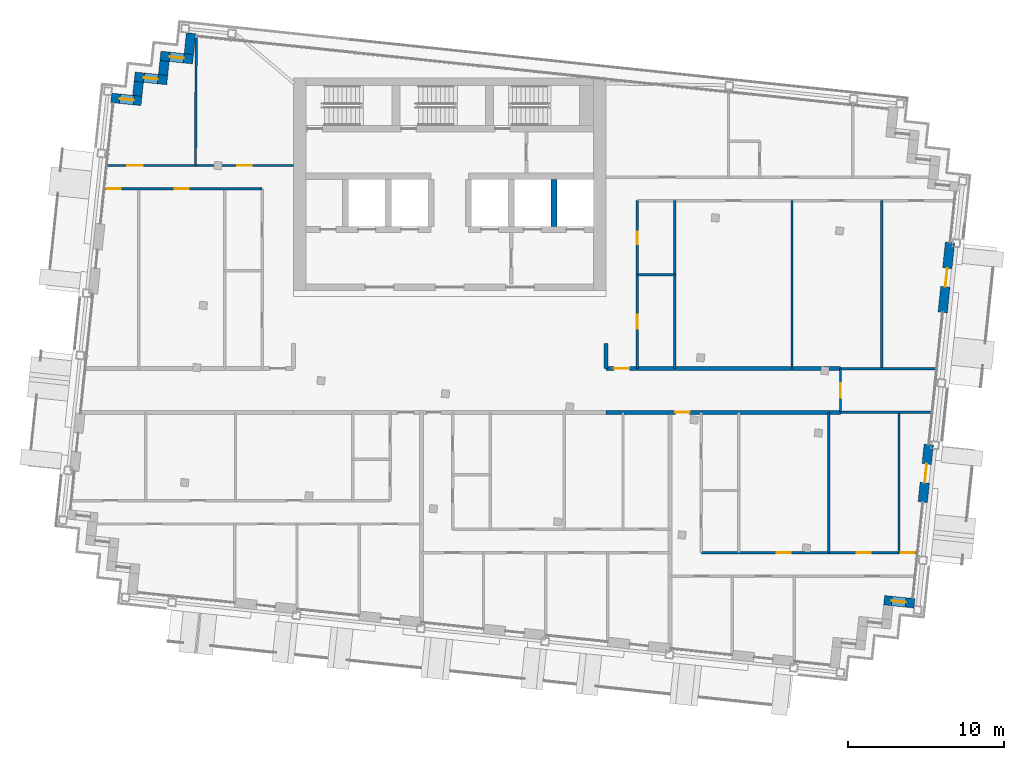
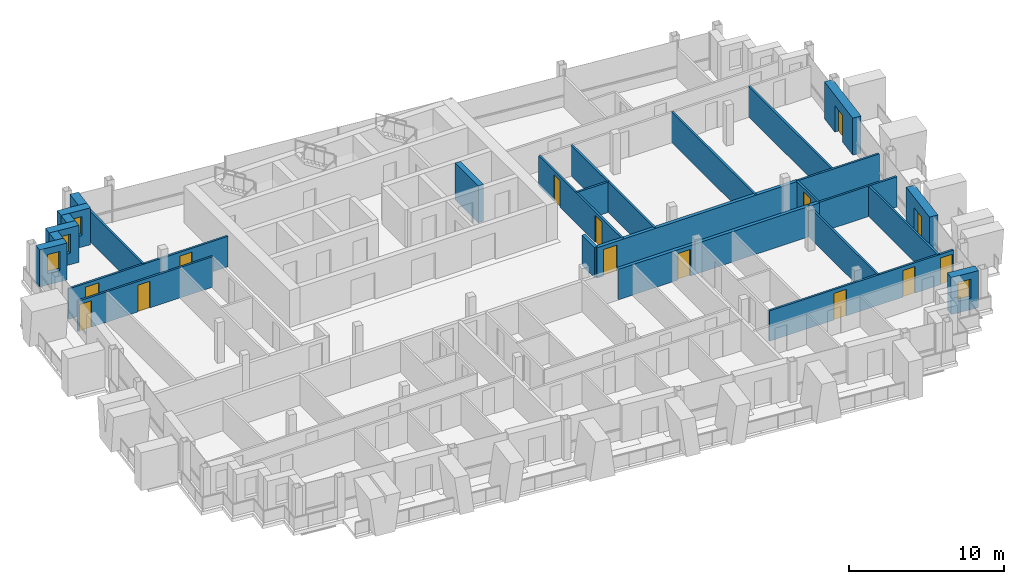
# One storey, part 11 of 17: 27 walls, 14 doors, 4 windows, 18 openings.
"""IFC4 building model written with IfcOpenShell, lengths in metres."""

from ifc_helpers import new_model, si_unit, direction, frame, frame_2d, origin, place, context, subcontext, project, spatial, rectangle, extrude, material, layer, layer_set, type_object, element, fill, save


model = new_model("IFC4")

# Units and contexts
model_context = context("Model", 3, precision=1e-05, world=origin(), true_north=direction((0.0, 1.0)))
body_context = subcontext(model_context, "Body", "Model", "MODEL_VIEW")
ifc_project = project(units=[si_unit("LENGTHUNIT", "METRE"), si_unit("AREAUNIT", "SQUARE_METRE"), si_unit("VOLUMEUNIT", "CUBIC_METRE"), si_unit("PLANEANGLEUNIT", "RADIAN"), si_unit("MASSUNIT", "GRAM", prefix="KILO")], contexts=[model_context])

# Site, building, storey
site_placement = place(None, origin())
site = spatial("IfcSite", under=ifc_project, at=site_placement, CompositionType="ELEMENT")
building_placement = place(site_placement, origin())
building = spatial("IfcBuilding", under=site, at=building_placement, Name="Vidyagriha Tower", CompositionType="ELEMENT")
storey_placement = place(building_placement, frame((0.0, 0.0, 265.89990234375)))
storey = spatial("IfcBuildingStorey", under=building, at=storey_placement, Name="L69", CompositionType="ELEMENT", Elevation=265.89990234375)

# Wall
ifc_material_1 = material(Name="Precast concrete C40/50 with brick facing", Category="concrete")
ifc_layer_1 = layer(ifc_material_1, 0.60009765625)
ifc_layer_set_1 = layer_set([ifc_layer_1], Name="Precast concrete C40/50 with brick facing")
wall_type_1 = type_object("IfcWallType", Name="Brick-faced precast wall 600", PredefinedType="STANDARD", material=ifc_layer_set_1)
wall_1_placement = place(storey_placement, frame((-16.5546875, 22.866455078125, 0.0), z_axis=(0.0, 0.0, 1.0), x_axis=(-0.104515354875, -0.994523273029, 0.0)))
element("IfcWall", 1, at=wall_1_placement, inside=storey, type_object=wall_type_1, Name="Stepped corner wall L69 R08", PredefinedType="STANDARD", context=body_context, shape_type="SweptSolid", body=[
    extrude(rectangle(XDim=1.35009765625, YDim=0.60009765625, at=frame_2d((0.675048828125, 0.0))), origin(), (0.0, 0.0, 1.0), 2.920166015625),
])

# Wall, opening, window
wall_2_placement = place(storey_placement, frame((-16.4287109375, 21.194091796875, 0.0), z_axis=(0.0, 0.0, 1.0), x_axis=(-0.994522640205, 0.104521376379, 0.0)))
wall_2 = element("IfcWall", 2, at=wall_2_placement, inside=storey, type_object=wall_type_1, Name="Stepped corner wall L69 R09", PredefinedType="STANDARD", context=body_context, shape_type="SweptSolid", body=[
    extrude(rectangle(XDim=2.099853515625, YDim=0.60009765625, at=frame_2d((1.0498046875, 0.0))), origin(), (0.0, 0.0, 1.0), 2.920166015625),
])
opening_1_placement = place(wall_2_placement, frame((0.599853515625, 0.0, 0.89990234375)))
opening_1 = element("IfcOpeningElement", 3, at=opening_1_placement, cuts=wall_2, Name="Opening WN1", PredefinedType="OPENING", context=body_context, shape_type="SweptSolid", body=[
    extrude(rectangle(XDim=0.89990234375, YDim=1.5, at=frame_2d((0.449951171875, 0.75))), frame((0.0, 0.31005859375, 0.0), z_axis=(0.0, -1.0, 0.0), x_axis=(1.0, 0.0, 0.0)), (0.0, 0.0, 1.0), 0.6201171875),
])
ifc_material_2 = material(Name="Aluminium and glass window", Category="aluminium")
window_type = type_object("IfcWindowType", Name="Reveal window 900x1500", PartitioningType="NOTDEFINED", PredefinedType="WINDOW", material=ifc_material_2)
window_1_placement = place(opening_1_placement, origin())
window_1 = element("IfcWindow", 4, at=window_1_placement, inside=storey, type_object=window_type, Name="Reveal window L69 R09", OverallHeight=1.5, OverallWidth=0.89990234375, PartitioningType="SINGLE_PANEL", PredefinedType="WINDOW", context=body_context, shape_type="SweptSolid", body=[
    extrude(rectangle(XDim=0.89990234375, YDim=1.5, at=frame_2d((0.449951171875, 0.75))), frame((0.0, 0.030029296875, 0.0), z_axis=(0.0, -1.0, 0.0), x_axis=(1.0, 0.0, 0.0)), (0.0, 0.0, 1.0), 0.06005859375),
])
fill(opening_1, window_1)

# Wall
wall_3_placement = place(storey_placement, frame((-18.250244140625, 21.083984375, 0.0), z_axis=(0.0, 0.0, 1.0), x_axis=(-0.104416541099, -0.994533652495, 0.0)))
element("IfcWall", 5, at=wall_3_placement, inside=storey, type_object=wall_type_1, Name="Stepped corner wall L69 R10", PredefinedType="STANDARD", context=body_context, shape_type="SweptSolid", body=[
    extrude(rectangle(XDim=0.900146484375, YDim=0.60009765625, at=frame_2d((0.4501953125, 0.0))), origin(), (0.0, 0.0, 1.0), 2.920166015625),
])

# Wall, opening, window
wall_4_placement = place(storey_placement, frame((-18.077392578125, 19.859130859375, 0.0), z_axis=(0.0, 0.0, 1.0), x_axis=(-0.994522640205, 0.104521376379, 0.0)))
wall_4 = element("IfcWall", 6, at=wall_4_placement, inside=storey, type_object=wall_type_1, Name="Stepped corner wall L69 R11", PredefinedType="STANDARD", context=body_context, shape_type="SweptSolid", body=[
    extrude(rectangle(XDim=2.099853515625, YDim=0.60009765625, at=frame_2d((1.0498046875, 0.0))), origin(), (0.0, 0.0, 1.0), 2.920166015625),
])
opening_2_placement = place(wall_4_placement, frame((0.60009765625, 0.0, 0.89990234375)))
opening_2 = element("IfcOpeningElement", 7, at=opening_2_placement, cuts=wall_4, Name="Opening WN1", PredefinedType="OPENING", context=body_context, shape_type="SweptSolid", body=[
    extrude(rectangle(XDim=0.89990234375, YDim=1.5, at=frame_2d((0.449951171875, 0.75))), frame((0.0, 0.31005859375, 0.0), z_axis=(0.0, -1.0, 0.0), x_axis=(1.0, 0.0, 0.0)), (0.0, 0.0, 1.0), 0.6201171875),
])
window_2_placement = place(opening_2_placement, origin())
window_2 = element("IfcWindow", 8, at=window_2_placement, inside=storey, type_object=window_type, Name="Reveal window L69 R11", OverallHeight=1.5, OverallWidth=0.89990234375, PartitioningType="SINGLE_PANEL", PredefinedType="WINDOW", context=body_context, shape_type="SweptSolid", body=[
    extrude(rectangle(XDim=0.89990234375, YDim=1.5, at=frame_2d((0.449951171875, 0.75))), frame((0.0, 0.030029296875, 0.0), z_axis=(0.0, -1.0, 0.0), x_axis=(1.0, 0.0, 0.0)), (0.0, 0.0, 1.0), 0.06005859375),
])
fill(opening_2, window_2)

# Wall
wall_5_placement = place(storey_placement, frame((-19.898681640625, 19.748779296875, 0.0), z_axis=(0.0, 0.0, 1.0), x_axis=(-0.104741284723, -0.994499503909, 0.0)))
element("IfcWall", 9, at=wall_5_placement, inside=storey, type_object=wall_type_1, Name="Stepped corner wall L69 R12", PredefinedType="STANDARD", context=body_context, shape_type="SweptSolid", body=[
    extrude(rectangle(XDim=0.899658203125, YDim=0.60009765625, at=frame_2d((0.44970703125, 0.0))), origin(), (0.0, 0.0, 1.0), 2.920166015625),
])

# Wall, opening, window
wall_6_placement = place(storey_placement, frame((-19.725830078125, 18.5244140625, 0.0), z_axis=(0.0, 0.0, 1.0), x_axis=(-0.994534226826, 0.104411070641, 0.0)))
wall_6 = element("IfcWall", 10, at=wall_6_placement, inside=storey, type_object=wall_type_1, Name="Stepped corner wall L69 R13", PredefinedType="STANDARD", context=body_context, shape_type="SweptSolid", body=[
    extrude(rectangle(XDim=1.9501953125, YDim=0.60009765625, at=frame_2d((0.97509765625, 0.0))), origin(), (0.0, 0.0, 1.0), 2.920166015625),
])
opening_3_placement = place(wall_6_placement, frame((0.489990234375, 0.0, 0.89990234375)))
opening_3 = element("IfcOpeningElement", 11, at=opening_3_placement, cuts=wall_6, Name="Opening WN1", PredefinedType="OPENING", context=body_context, shape_type="SweptSolid", body=[
    extrude(rectangle(XDim=0.89990234375, YDim=1.5, at=frame_2d((0.449951171875, 0.75))), frame((0.0, 0.31005859375, 0.0), z_axis=(0.0, -1.0, 0.0), x_axis=(1.0, 0.0, 0.0)), (0.0, 0.0, 1.0), 0.6201171875),
])
window_3_placement = place(opening_3_placement, origin())
window_3 = element("IfcWindow", 12, at=window_3_placement, inside=storey, type_object=window_type, Name="Reveal window L69 R13", OverallHeight=1.5, OverallWidth=0.89990234375, PartitioningType="SINGLE_PANEL", PredefinedType="WINDOW", context=body_context, shape_type="SweptSolid", body=[
    extrude(rectangle(XDim=0.89990234375, YDim=1.5, at=frame_2d((0.449951171875, 0.75))), frame((0.0, 0.030029296875, 0.0), z_axis=(0.0, -1.0, 0.0), x_axis=(1.0, 0.0, 0.0)), (0.0, 0.0, 1.0), 0.06005859375),
])
fill(opening_3, window_3)

wall_7_placement = place(storey_placement, frame((27.795654296875, -13.418212890625, 0.0), z_axis=(0.0, 0.0, 1.0), x_axis=(0.994519850893, -0.104547913319, 0.0)))
wall_7 = element("IfcWall", 13, at=wall_7_placement, inside=storey, type_object=wall_type_1, Name="Stepped corner wall L69 R27", PredefinedType="STANDARD", context=body_context, shape_type="SweptSolid", body=[
    extrude(rectangle(XDim=1.949951171875, YDim=0.60009765625, at=frame_2d((0.97509765625, 0.0))), origin(), (0.0, 0.0, 1.0), 2.920166015625),
])
opening_4_placement = place(wall_7_placement, frame((0.489990234375, 0.0, 0.89990234375)))
opening_4 = element("IfcOpeningElement", 14, at=opening_4_placement, cuts=wall_7, Name="Opening WN1", PredefinedType="OPENING", context=body_context, shape_type="SweptSolid", body=[
    extrude(rectangle(XDim=0.89990234375, YDim=1.5, at=frame_2d((0.449951171875, 0.75))), frame((0.0, 0.31005859375, 0.0), z_axis=(0.0, -1.0, 0.0), x_axis=(1.0, 0.0, 0.0)), (0.0, 0.0, 1.0), 0.6201171875),
])
window_4_placement = place(opening_4_placement, origin())
window_4 = element("IfcWindow", 15, at=window_4_placement, inside=storey, type_object=window_type, Name="Reveal window L69 R27", OverallHeight=1.5, OverallWidth=0.89990234375, PartitioningType="SINGLE_PANEL", PredefinedType="WINDOW", context=body_context, shape_type="SweptSolid", body=[
    extrude(rectangle(XDim=0.89990234375, YDim=1.5, at=frame_2d((0.449951171875, 0.75))), frame((0.0, 0.030029296875, 0.0), z_axis=(0.0, -1.0, 0.0), x_axis=(1.0, 0.0, 0.0)), (0.0, 0.0, 1.0), 0.06005859375),
])
fill(opening_4, window_4)

# Wall, opening, door
wall_8_placement = place(storey_placement, frame((30.26513671875, -7.14208984375, 0.0), z_axis=(0.0, 0.0, 1.0), x_axis=(0.104513052986, 0.994523514933, 0.0)))
wall_8 = element("IfcWall", 16, at=wall_8_placement, inside=storey, type_object=wall_type_1, Name="Brick door bay wall L69 R28.3", PredefinedType="STANDARD", context=body_context, shape_type="SweptSolid", body=[
    extrude(rectangle(XDim=3.7001953125, YDim=0.60009765625, at=frame_2d((1.85009765625, 0.0))), origin(), (0.0, 0.0, 1.0), 2.920166015625),
])
opening_5_placement = place(wall_8_placement, frame((1.25, 0.0, 0.0)))
opening_5 = element("IfcOpeningElement", 17, at=opening_5_placement, cuts=wall_8, Name="Opening D69-64", PredefinedType="OPENING", context=body_context, shape_type="SweptSolid", body=[
    extrude(rectangle(XDim=1.199951171875, YDim=2.10009765625, at=frame_2d((0.60009765625, 1.050048828125))), frame((0.0, 0.31005859375, 0.0), z_axis=(0.0, -1.0, 0.0), x_axis=(1.0, 0.0, 0.0)), (0.0, 0.0, 1.0), 0.6201171875),
])
ifc_material_3 = material(Name="Aluminium framed glazed sliding door", Category="aluminium")
door_type_1 = type_object("IfcDoorType", Name="Balcony sliding door 1200x2100", OperationType="NOTDEFINED", PredefinedType="DOOR", material=ifc_material_3)
door_1_placement = place(opening_5_placement, origin())
door_1 = element("IfcDoor", 18, at=door_1_placement, inside=storey, type_object=door_type_1, Name="Door D69-64", OperationType="SLIDING_TO_LEFT", OverallHeight=2.10009765625, OverallWidth=1.199951171875, PredefinedType="DOOR", context=body_context, shape_type="SweptSolid", body=[
    extrude(rectangle(XDim=1.199951171875, YDim=2.10009765625, at=frame_2d((0.60009765625, 1.050048828125))), frame((0.0, 0.02490234375, 0.0), z_axis=(0.0, -1.0, 0.0), x_axis=(1.0, 0.0, 0.0)), (0.0, 0.0, 1.0), 0.050048828125),
])
fill(opening_5, door_1)

wall_9_placement = place(storey_placement, frame((31.540283203125, 4.9912109375, 0.0), z_axis=(0.0, 0.0, 1.0), x_axis=(0.104546400045, 0.994520009974, 0.0)))
wall_9 = element("IfcWall", 19, at=wall_9_placement, inside=storey, type_object=wall_type_1, Name="Brick door bay wall L69 R28.6", PredefinedType="STANDARD", context=body_context, shape_type="SweptSolid", body=[
    extrude(rectangle(XDim=4.5, YDim=0.60009765625, at=frame_2d((2.25, 0.0))), origin(), (0.0, 0.0, 1.0), 2.920166015625),
])
opening_6_placement = place(wall_9_placement, frame((1.64990234375, 0.0, 0.0)))
opening_6 = element("IfcOpeningElement", 20, at=opening_6_placement, cuts=wall_9, Name="Opening D69-65", PredefinedType="OPENING", context=body_context, shape_type="SweptSolid", body=[
    extrude(rectangle(XDim=1.199951171875, YDim=2.10009765625, at=frame_2d((0.60009765625, 1.050048828125))), frame((0.0, 0.31005859375, 0.0), z_axis=(0.0, -1.0, 0.0), x_axis=(1.0, 0.0, 0.0)), (0.0, 0.0, 1.0), 0.6201171875),
])
door_2_placement = place(opening_6_placement, origin())
door_2 = element("IfcDoor", 21, at=door_2_placement, inside=storey, type_object=door_type_1, Name="Door D69-65", OperationType="SLIDING_TO_LEFT", OverallHeight=2.10009765625, OverallWidth=1.199951171875, PredefinedType="DOOR", context=body_context, shape_type="SweptSolid", body=[
    extrude(rectangle(XDim=1.199951171875, YDim=2.10009765625, at=frame_2d((0.60009765625, 1.050048828125))), frame((0.0, 0.02490234375, 0.0), z_axis=(0.0, -1.0, 0.0), x_axis=(1.0, 0.0, 0.0)), (0.0, 0.0, 1.0), 0.050048828125),
])
fill(opening_6, door_2)

# Wall
ifc_material_4 = material(Name="Concrete C60/75", Category="concrete")
ifc_layer_2 = layer(ifc_material_4, 0.39990234375)
ifc_layer_set_2 = layer_set([ifc_layer_2], Name="Concrete C60/75")
wall_type_2 = type_object("IfcWallType", Name="Core shear wall 400 mm", PredefinedType="SHEAR", material=ifc_layer_set_2)
wall_10_placement = place(storey_placement, frame((6.666748046875, 10.5, 0.0), z_axis=(0.0, 0.0, 1.0), x_axis=(0.0, 1.0, 0.0)))
element("IfcWall", 22, at=wall_10_placement, inside=storey, type_object=wall_type_2, Name="Core bay wall N6", PredefinedType="SHEAR", context=body_context, shape_type="SweptSolid", body=[
    extrude(rectangle(XDim=3.0, YDim=0.39990234375, at=frame_2d((1.5, 0.0))), origin(), (0.0, 0.0, 1.0), 2.920166015625),
])

# Wall, opening, door
ifc_material_5 = material(Name="Fired clay brick masonry", Category="masonry")
ifc_layer_3 = layer(ifc_material_5, 0.25)
ifc_layer_set_3 = layer_set([ifc_layer_3], Name="Fired clay brick masonry")
wall_type_3 = type_object("IfcWallType", Name="Fired clay brick corridor wall 250", PredefinedType="PARTITIONING", material=ifc_layer_set_3)
wall_11_placement = place(storey_placement, frame((25.0, -1.39990234375, 0.0), z_axis=(0.0, 0.0, 1.0), x_axis=(-1.0, 0.0, 0.0)))
wall_11 = element("IfcWall", 23, at=wall_11_placement, inside=storey, type_object=wall_type_3, Name="Wall all-L69-w062", PredefinedType="PARTITIONING", context=body_context, shape_type="SweptSolid", body=[
    extrude(rectangle(XDim=15.0, YDim=0.25, at=frame_2d((7.5, 0.0))), origin(), (0.0, 0.0, 1.0), 2.400146484375),
])
opening_7_placement = place(wall_11_placement, frame((9.657958984375, 0.0, 0.0)))
opening_7 = element("IfcOpeningElement", 24, at=opening_7_placement, cuts=wall_11, Name="Opening D69-38", PredefinedType="OPENING", context=body_context, shape_type="SweptSolid", body=[
    extrude(rectangle(XDim=0.89990234375, YDim=2.10009765625, at=frame_2d((0.449951171875, 1.050048828125))), frame((0.0, 0.135009765625, 0.0), z_axis=(0.0, -1.0, 0.0), x_axis=(1.0, 0.0, 0.0)), (0.0, 0.0, 1.0), 0.27001953125),
])
ifc_material_6 = material(Name="Fire-rated timber door leaf EI 60", Category="wood")
door_type_2 = type_object("IfcDoorType", Name="Flat entrance fire door 900x2100", OperationType="NOTDEFINED", PredefinedType="DOOR", material=ifc_material_6)
door_3_placement = place(opening_7_placement, origin())
door_3 = element("IfcDoor", 25, at=door_3_placement, inside=storey, type_object=door_type_2, Name="Door D69-38", OperationType="SINGLE_SWING_RIGHT", OverallHeight=2.10009765625, OverallWidth=0.89990234375, PredefinedType="DOOR", context=body_context, shape_type="SweptSolid", body=[
    extrude(rectangle(XDim=0.89990234375, YDim=2.10009765625, at=frame_2d((0.449951171875, 1.050048828125))), frame((0.0, 0.02490234375, 0.0), z_axis=(0.0, -1.0, 0.0), x_axis=(1.0, 0.0, 0.0)), (0.0, 0.0, 1.0), 0.050048828125),
])
fill(opening_7, door_3)

wall_12_placement = place(storey_placement, frame((10.0, 1.39990234375, 0.0)))
wall_12 = element("IfcWall", 26, at=wall_12_placement, inside=storey, type_object=wall_type_3, Name="Wall all-L69-w100", PredefinedType="PARTITIONING", context=body_context, shape_type="SweptSolid", body=[
    extrude(rectangle(XDim=15.0, YDim=0.25, at=frame_2d((7.5, 0.0))), origin(), (0.0, 0.0, 1.0), 2.400146484375),
])
opening_8_placement = place(wall_12_placement, frame((0.5, 0.0, 0.0)))
opening_8 = element("IfcOpeningElement", 27, at=opening_8_placement, cuts=wall_12, Name="Opening D69-55", PredefinedType="OPENING", context=body_context, shape_type="SweptSolid", body=[
    extrude(rectangle(XDim=1.0, YDim=2.10009765625, at=frame_2d((0.5, 1.050048828125))), frame((0.0, 0.135009765625, 0.0), z_axis=(0.0, -1.0, 0.0), x_axis=(1.0, 0.0, 0.0)), (0.0, 0.0, 1.0), 0.27001953125),
])
ifc_material_7 = material(Name="Fire-rated timber door leaf EI 60", Category="wood")
door_type_3 = type_object("IfcDoorType", Name="Flat entrance fire door 1000x2100", OperationType="NOTDEFINED", PredefinedType="DOOR", material=ifc_material_7)
door_4_placement = place(opening_8_placement, origin())
door_4 = element("IfcDoor", 28, at=door_4_placement, inside=storey, type_object=door_type_3, Name="Door D69-55", OperationType="SINGLE_SWING_LEFT", OverallHeight=2.10009765625, OverallWidth=1.0, PredefinedType="DOOR", context=body_context, shape_type="SweptSolid", body=[
    extrude(rectangle(XDim=1.0, YDim=2.10009765625, at=frame_2d((0.5, 1.050048828125))), frame((0.0, 0.02490234375, 0.0), z_axis=(0.0, -1.0, 0.0), x_axis=(1.0, 0.0, 0.0)), (0.0, 0.0, 1.0), 0.050048828125),
])
fill(opening_8, door_4)

# Walls
wall_13_placement = place(storey_placement, frame((10.0, 1.39990234375, 0.0), z_axis=(0.0, 0.0, 1.0), x_axis=(0.0, 1.0, 0.0)))
element("IfcWall", 29, at=wall_13_placement, inside=storey, type_object=wall_type_3, Name="Wall all-L69-w106", PredefinedType="PARTITIONING", context=body_context, shape_type="SweptSolid", body=[
    extrude(rectangle(XDim=1.60009765625, YDim=0.25, at=frame_2d((0.800048828125, 0.0))), origin(), (0.0, 0.0, 1.0), 2.400146484375),
])
ifc_material_8 = material(Name="Gypsum board partition")
ifc_layer_4 = layer(ifc_material_8, 0.14990234375)
ifc_layer_set_4 = layer_set([ifc_layer_4], Name="Gypsum board partition")
wall_type_4 = type_object("IfcWallType", Name="Gypsum board partition 150", PredefinedType="PARTITIONING", material=ifc_layer_set_4)
for number, where, z_axis, x_axis, name in (
    (30, (24.248046875, -1.39990234375, 0.0), (0.0, 0.0, 1.0), (0.0, -1.0, 0.0), "Wall all-L69-w047"),
    (31, (28.748046875, -1.39990234375, 0.0), (0.0, 0.0, 1.0), (0.0, -1.0, 0.0), "Wall all-L69-w048"),
):
    element("IfcWall", number, at=place(storey_placement, frame(where, z_axis=z_axis, x_axis=x_axis)), inside=storey, type_object=wall_type_4, Name=name, PredefinedType="PARTITIONING", context=body_context, shape_type="SweptSolid", body=[
        extrude(rectangle(XDim=8.981689453125, YDim=0.14990234375, at=frame_2d((4.49072265625, 0.0))), origin(), (0.0, 0.0, 1.0), 2.400146484375),
    ])

# Wall, openings, doors
wall_14_placement = place(storey_placement, frame((16.097900390625, -10.381591796875, 0.0)))
wall_14 = element("IfcWall", 32, at=wall_14_placement, inside=storey, type_object=wall_type_4, Name="Wall all-L69-w049", PredefinedType="PARTITIONING", context=body_context, shape_type="SweptSolid", body=[
    extrude(rectangle(XDim=13.747314453125, YDim=0.14990234375, at=frame_2d((6.87353515625, 0.0))), origin(), (0.0, 0.0, 1.0), 2.400146484375),
])
opening_9_placement = place(wall_14_placement, frame((4.824951171875, 0.0, 0.0)))
opening_9 = element("IfcOpeningElement", 33, at=opening_9_placement, cuts=wall_14, Name="Opening D69-32", PredefinedType="OPENING", context=body_context, shape_type="SweptSolid", body=[
    extrude(rectangle(XDim=0.89990234375, YDim=2.10009765625, at=frame_2d((0.449951171875, 1.050048828125))), frame((0.0, 0.0849609375, 0.0), z_axis=(0.0, -1.0, 0.0), x_axis=(1.0, 0.0, 0.0)), (0.0, 0.0, 1.0), 0.169921875),
])
opening_10_placement = place(wall_14_placement, frame((9.949951171875, 0.0, 0.0)))
opening_10 = element("IfcOpeningElement", 34, at=opening_10_placement, cuts=wall_14, Name="Opening D69-33", PredefinedType="OPENING", context=body_context, shape_type="SweptSolid", body=[
    extrude(rectangle(XDim=0.89990234375, YDim=2.10009765625, at=frame_2d((0.449951171875, 1.050048828125))), frame((0.0, 0.0849609375, 0.0), z_axis=(0.0, -1.0, 0.0), x_axis=(1.0, 0.0, 0.0)), (0.0, 0.0, 1.0), 0.169921875),
])
opening_11_placement = place(wall_14_placement, frame((12.747314453125, 0.0, 0.0)))
opening_11 = element("IfcOpeningElement", 35, at=opening_11_placement, cuts=wall_14, Name="Opening D69-34", PredefinedType="OPENING", context=body_context, shape_type="SweptSolid", body=[
    extrude(rectangle(XDim=0.89990234375, YDim=2.10009765625, at=frame_2d((0.449951171875, 1.050048828125))), frame((0.0, 0.0849609375, 0.0), z_axis=(0.0, -1.0, 0.0), x_axis=(1.0, 0.0, 0.0)), (0.0, 0.0, 1.0), 0.169921875),
])
ifc_material_9 = material(Name="Timber door leaf", Category="wood")
door_type_4 = type_object("IfcDoorType", Name="Room door 900x2100", OperationType="NOTDEFINED", PredefinedType="DOOR", material=ifc_material_9)
door_5_placement = place(opening_9_placement, origin())
door_5 = element("IfcDoor", 36, at=door_5_placement, inside=storey, type_object=door_type_4, Name="Door D69-32", OperationType="SINGLE_SWING_RIGHT", OverallHeight=2.10009765625, OverallWidth=0.89990234375, PredefinedType="DOOR", context=body_context, shape_type="SweptSolid", body=[
    extrude(rectangle(XDim=0.89990234375, YDim=2.10009765625, at=frame_2d((0.449951171875, 1.050048828125))), frame((0.0, 0.02490234375, 0.0), z_axis=(0.0, -1.0, 0.0), x_axis=(1.0, 0.0, 0.0)), (0.0, 0.0, 1.0), 0.050048828125),
])
fill(opening_9, door_5)
door_6_placement = place(opening_10_placement, origin())
door_6 = element("IfcDoor", 37, at=door_6_placement, inside=storey, type_object=door_type_4, Name="Door D69-33", OperationType="SINGLE_SWING_RIGHT", OverallHeight=2.10009765625, OverallWidth=0.89990234375, PredefinedType="DOOR", context=body_context, shape_type="SweptSolid", body=[
    extrude(rectangle(XDim=0.89990234375, YDim=2.10009765625, at=frame_2d((0.449951171875, 1.050048828125))), frame((0.0, 0.02490234375, 0.0), z_axis=(0.0, -1.0, 0.0), x_axis=(1.0, 0.0, 0.0)), (0.0, 0.0, 1.0), 0.050048828125),
])
fill(opening_10, door_6)
door_7_placement = place(opening_11_placement, origin())
door_7 = element("IfcDoor", 38, at=door_7_placement, inside=storey, type_object=door_type_4, Name="Door D69-34", OperationType="SINGLE_SWING_LEFT", OverallHeight=2.10009765625, OverallWidth=0.89990234375, PredefinedType="DOOR", context=body_context, shape_type="SweptSolid", body=[
    extrude(rectangle(XDim=0.89990234375, YDim=2.10009765625, at=frame_2d((0.449951171875, 1.050048828125))), frame((0.0, 0.02490234375, 0.0), z_axis=(0.0, -1.0, 0.0), x_axis=(1.0, 0.0, 0.0)), (0.0, 0.0, 1.0), 0.050048828125),
])
fill(opening_11, door_7)

# Wall
wall_15_placement = place(storey_placement, frame((30.79833984375, -1.39990234375, 0.0), z_axis=(0.0, 0.0, 1.0), x_axis=(-1.0, 0.0, 0.0)))
element("IfcWall", 39, at=wall_15_placement, inside=storey, type_object=wall_type_4, Name="Wall all-L69-w063", PredefinedType="PARTITIONING", context=body_context, shape_type="SweptSolid", body=[
    extrude(rectangle(XDim=5.79833984375, YDim=0.14990234375, at=frame_2d((2.899169921875, 0.0))), origin(), (0.0, 0.0, 1.0), 2.400146484375),
])

# Wall, openings, doors
wall_16_placement = place(storey_placement, frame((-12.0, 12.89990234375, 0.0), z_axis=(0.0, 0.0, 1.0), x_axis=(-1.0, 0.0, 0.0)))
wall_16 = element("IfcWall", 40, at=wall_16_placement, inside=storey, type_object=wall_type_4, Name="Wall all-L69-w070", PredefinedType="PARTITIONING", context=body_context, shape_type="SweptSolid", body=[
    extrude(rectangle(XDim=10.04736328125, YDim=0.14990234375, at=frame_2d((5.023681640625, 0.0))), origin(), (0.0, 0.0, 1.0), 2.400146484375),
])
opening_12_placement = place(wall_16_placement, frame((4.699951171875, 0.0, 0.0)))
opening_12 = element("IfcOpeningElement", 41, at=opening_12_placement, cuts=wall_16, Name="Opening D69-41", PredefinedType="OPENING", context=body_context, shape_type="SweptSolid", body=[
    extrude(rectangle(XDim=0.89990234375, YDim=2.10009765625, at=frame_2d((0.449951171875, 1.050048828125))), frame((0.0, 0.0849609375, 0.0), z_axis=(0.0, -1.0, 0.0), x_axis=(1.0, 0.0, 0.0)), (0.0, 0.0, 1.0), 0.169921875),
])
opening_13_placement = place(wall_16_placement, frame((9.04736328125, 0.0, 0.0)))
opening_13 = element("IfcOpeningElement", 42, at=opening_13_placement, cuts=wall_16, Name="Opening D69-42", PredefinedType="OPENING", context=body_context, shape_type="SweptSolid", body=[
    extrude(rectangle(XDim=0.89990234375, YDim=2.10009765625, at=frame_2d((0.449951171875, 1.050048828125))), frame((0.0, 0.0849609375, 0.0), z_axis=(0.0, -1.0, 0.0), x_axis=(1.0, 0.0, 0.0)), (0.0, 0.0, 1.0), 0.169921875),
])
door_8_placement = place(opening_12_placement, origin())
door_8 = element("IfcDoor", 43, at=door_8_placement, inside=storey, type_object=door_type_4, Name="Door D69-41", OperationType="SINGLE_SWING_LEFT", OverallHeight=2.10009765625, OverallWidth=0.89990234375, PredefinedType="DOOR", context=body_context, shape_type="SweptSolid", body=[
    extrude(rectangle(XDim=0.89990234375, YDim=2.10009765625, at=frame_2d((0.449951171875, 1.050048828125))), frame((0.0, 0.02490234375, 0.0), z_axis=(0.0, -1.0, 0.0), x_axis=(1.0, 0.0, 0.0)), (0.0, 0.0, 1.0), 0.050048828125),
])
fill(opening_12, door_8)
door_9_placement = place(opening_13_placement, origin())
door_9 = element("IfcDoor", 44, at=door_9_placement, inside=storey, type_object=door_type_4, Name="Door D69-42", OperationType="SINGLE_SWING_RIGHT", OverallHeight=2.10009765625, OverallWidth=0.89990234375, PredefinedType="DOOR", context=body_context, shape_type="SweptSolid", body=[
    extrude(rectangle(XDim=0.89990234375, YDim=2.10009765625, at=frame_2d((0.449951171875, 1.050048828125))), frame((0.0, 0.02490234375, 0.0), z_axis=(0.0, -1.0, 0.0), x_axis=(1.0, 0.0, 0.0)), (0.0, 0.0, 1.0), 0.050048828125),
])
fill(opening_13, door_9)

wall_17_placement = place(storey_placement, frame((-21.889892578125, 14.39990234375, 0.0)))
wall_17 = element("IfcWall", 45, at=wall_17_placement, inside=storey, type_object=wall_type_4, Name="Wall all-L69-w073", PredefinedType="PARTITIONING", context=body_context, shape_type="SweptSolid", body=[
    extrude(rectangle(XDim=11.889892578125, YDim=0.14990234375, at=frame_2d((5.94482421875, 0.0))), origin(), (0.0, 0.0, 1.0), 2.400146484375),
])
opening_14_placement = place(wall_17_placement, frame((1.259765625, 0.0, 0.0)))
opening_14 = element("IfcOpeningElement", 46, at=opening_14_placement, cuts=wall_17, Name="Opening D69-43", PredefinedType="OPENING", context=body_context, shape_type="SweptSolid", body=[
    extrude(rectangle(XDim=1.0, YDim=2.10009765625, at=frame_2d((0.5, 1.050048828125))), frame((0.0, 0.0849609375, 0.0), z_axis=(0.0, -1.0, 0.0), x_axis=(1.0, 0.0, 0.0)), (0.0, 0.0, 1.0), 0.169921875),
])
opening_15_placement = place(wall_17_placement, frame((8.3037109375, 0.0, 0.0)))
opening_15 = element("IfcOpeningElement", 47, at=opening_15_placement, cuts=wall_17, Name="Opening D69-44", PredefinedType="OPENING", context=body_context, shape_type="SweptSolid", body=[
    extrude(rectangle(XDim=0.89990234375, YDim=2.10009765625, at=frame_2d((0.449951171875, 1.050048828125))), frame((0.0, 0.0849609375, 0.0), z_axis=(0.0, -1.0, 0.0), x_axis=(1.0, 0.0, 0.0)), (0.0, 0.0, 1.0), 0.169921875),
])
ifc_material_10 = material(Name="Timber door leaf", Category="wood")
door_type_5 = type_object("IfcDoorType", Name="Room door 1000x2100", OperationType="NOTDEFINED", PredefinedType="DOOR", material=ifc_material_10)
door_10_placement = place(opening_14_placement, origin())
door_10 = element("IfcDoor", 48, at=door_10_placement, inside=storey, type_object=door_type_5, Name="Door D69-43", OperationType="SINGLE_SWING_LEFT", OverallHeight=2.10009765625, OverallWidth=1.0, PredefinedType="DOOR", context=body_context, shape_type="SweptSolid", body=[
    extrude(rectangle(XDim=1.0, YDim=2.10009765625, at=frame_2d((0.5, 1.050048828125))), frame((0.0, 0.02490234375, 0.0), z_axis=(0.0, -1.0, 0.0), x_axis=(1.0, 0.0, 0.0)), (0.0, 0.0, 1.0), 0.050048828125),
])
fill(opening_14, door_10)
door_11_placement = place(opening_15_placement, origin())
door_11 = element("IfcDoor", 49, at=door_11_placement, inside=storey, type_object=door_type_4, Name="Door D69-44", OperationType="SINGLE_SWING_RIGHT", OverallHeight=2.10009765625, OverallWidth=0.89990234375, PredefinedType="DOOR", context=body_context, shape_type="SweptSolid", body=[
    extrude(rectangle(XDim=0.89990234375, YDim=2.10009765625, at=frame_2d((0.449951171875, 1.050048828125))), frame((0.0, 0.02490234375, 0.0), z_axis=(0.0, -1.0, 0.0), x_axis=(1.0, 0.0, 0.0)), (0.0, 0.0, 1.0), 0.050048828125),
])
fill(opening_15, door_11)

# Walls
wall_18_placement = place(storey_placement, frame((-16.221923828125, 22.6103515625, 0.0), z_axis=(0.0, 0.0, 1.0), x_axis=(-0.006095634594, -0.999981421447, 0.0)))
element("IfcWall", 50, at=wall_18_placement, inside=storey, type_object=wall_type_4, Name="Wall all-L69-w076", PredefinedType="PARTITIONING", context=body_context, shape_type="SweptSolid", body=[
    extrude(rectangle(XDim=8.210693359375, YDim=0.14990234375, at=frame_2d((4.10546875, 0.0))), origin(), (0.0, 0.0, 1.0), 2.400146484375),
])
wall_19_placement = place(storey_placement, frame((12.0, 7.39990234375, 0.0)))
element("IfcWall", 51, at=wall_19_placement, inside=storey, type_object=wall_type_4, Name="Wall all-L69-w082", PredefinedType="PARTITIONING", context=body_context, shape_type="SweptSolid", body=[
    extrude(rectangle(XDim=2.39990234375, YDim=0.14990234375, at=frame_2d((1.199951171875, 0.0))), origin(), (0.0, 0.0, 1.0), 2.400146484375),
])
for number, where, z_axis, x_axis, name in (
    (52, (14.39990234375, 12.143310546875, 0.0), (0.0, 0.0, 1.0), (0.0, -1.0, 0.0), "Wall all-L69-w083"),
    (53, (21.89990234375, 12.143310546875, 0.0), (0.0, 0.0, 1.0), (0.0, -1.0, 0.0), "Wall all-L69-w084"),
    (54, (27.64990234375, 12.143310546875, 0.0), (0.0, 0.0, 1.0), (0.0, -1.0, 0.0), "Wall all-L69-w085"),
):
    element("IfcWall", number, at=place(storey_placement, frame(where, z_axis=z_axis, x_axis=x_axis)), inside=storey, type_object=wall_type_4, Name=name, PredefinedType="PARTITIONING", context=body_context, shape_type="SweptSolid", body=[
        extrude(rectangle(XDim=10.743408203125, YDim=0.14990234375, at=frame_2d((5.37158203125, 0.0))), origin(), (0.0, 0.0, 1.0), 2.400146484375),
    ])
wall_20_placement = place(storey_placement, frame((25.0, 1.39990234375, 0.0)))
element("IfcWall", 55, at=wall_20_placement, inside=storey, type_object=wall_type_4, Name="Wall all-L69-w101", PredefinedType="PARTITIONING", context=body_context, shape_type="SweptSolid", body=[
    extrude(rectangle(XDim=6.092529296875, YDim=0.14990234375, at=frame_2d((3.04638671875, 0.0))), origin(), (0.0, 0.0, 1.0), 2.400146484375),
])

# Wall, opening, door
wall_21_placement = place(storey_placement, frame((25.0, -1.39990234375, 0.0), z_axis=(0.0, 0.0, 1.0), x_axis=(0.0, 1.0, 0.0)))
wall_21 = element("IfcWall", 56, at=wall_21_placement, inside=storey, type_object=wall_type_4, Name="Wall all-L69-w102", PredefinedType="PARTITIONING", context=body_context, shape_type="SweptSolid", body=[
    extrude(rectangle(XDim=2.7998046875, YDim=0.14990234375, at=frame_2d((1.39990234375, 0.0))), origin(), (0.0, 0.0, 1.0), 2.400146484375),
])
opening_16_placement = place(wall_21_placement, frame((0.949951171875, 0.0, 0.0)))
opening_16 = element("IfcOpeningElement", 57, at=opening_16_placement, cuts=wall_21, Name="Opening D69-56", PredefinedType="OPENING", context=body_context, shape_type="SweptSolid", body=[
    extrude(rectangle(XDim=0.89990234375, YDim=2.10009765625, at=frame_2d((0.449951171875, 1.050048828125))), frame((0.0, 0.0849609375, 0.0), z_axis=(0.0, -1.0, 0.0), x_axis=(1.0, 0.0, 0.0)), (0.0, 0.0, 1.0), 0.169921875),
])
door_12_placement = place(opening_16_placement, origin())
door_12 = element("IfcDoor", 58, at=door_12_placement, inside=storey, type_object=door_type_4, Name="Door D69-56", OperationType="SINGLE_SWING_RIGHT", OverallHeight=2.10009765625, OverallWidth=0.89990234375, PredefinedType="DOOR", context=body_context, shape_type="SweptSolid", body=[
    extrude(rectangle(XDim=0.89990234375, YDim=2.10009765625, at=frame_2d((0.449951171875, 1.050048828125))), frame((0.0, 0.02490234375, 0.0), z_axis=(0.0, -1.0, 0.0), x_axis=(1.0, 0.0, 0.0)), (0.0, 0.0, 1.0), 0.050048828125),
])
fill(opening_16, door_12)

# Wall, openings, doors
ifc_material_11 = material(Name="Moisture resistant gypsum board partition")
ifc_layer_5 = layer(ifc_material_11, 0.14990234375)
ifc_layer_set_5 = layer_set([ifc_layer_5], Name="Moisture resistant gypsum board partition")
wall_type_5 = type_object("IfcWallType", Name="Gypsum board wet-area partition 150", PredefinedType="PARTITIONING", material=ifc_layer_set_5)
wall_22_placement = place(storey_placement, frame((12.0, 12.143310546875, 0.0), z_axis=(0.0, 0.0, 1.0), x_axis=(0.0, -1.0, 0.0)))
wall_22 = element("IfcWall", 59, at=wall_22_placement, inside=storey, type_object=wall_type_5, Name="Wall all-L69-w079", PredefinedType="PARTITIONING", context=body_context, shape_type="SweptSolid", body=[
    extrude(rectangle(XDim=10.743408203125, YDim=0.14990234375, at=frame_2d((5.37158203125, 0.0))), origin(), (0.0, 0.0, 1.0), 2.400146484375),
])
opening_17_placement = place(wall_22_placement, frame((7.29345703125, 0.0, 0.0)))
opening_17 = element("IfcOpeningElement", 60, at=opening_17_placement, cuts=wall_22, Name="Opening D69-46", PredefinedType="OPENING", context=body_context, shape_type="SweptSolid", body=[
    extrude(rectangle(XDim=0.89990234375, YDim=2.10009765625, at=frame_2d((0.449951171875, 1.050048828125))), frame((0.0, 0.0849609375, 0.0), z_axis=(0.0, -1.0, 0.0), x_axis=(1.0, 0.0, 0.0)), (0.0, 0.0, 1.0), 0.169921875),
])
opening_18_placement = place(wall_22_placement, frame((1.9716796875, 0.0, 0.0)))
opening_18 = element("IfcOpeningElement", 61, at=opening_18_placement, cuts=wall_22, Name="Opening D69-47", PredefinedType="OPENING", context=body_context, shape_type="SweptSolid", body=[
    extrude(rectangle(XDim=0.800048828125, YDim=2.10009765625, at=frame_2d((0.39990234375, 1.050048828125))), frame((0.0, 0.0849609375, 0.0), z_axis=(0.0, -1.0, 0.0), x_axis=(1.0, 0.0, 0.0)), (0.0, 0.0, 1.0), 0.169921875),
])
ifc_material_12 = material(Name="Timber door leaf", Category="wood")
door_type_6 = type_object("IfcDoorType", Name="Bathroom door 800x2100", OperationType="NOTDEFINED", PredefinedType="DOOR", material=ifc_material_12)
door_13_placement = place(opening_18_placement, origin())
door_13 = element("IfcDoor", 62, at=door_13_placement, inside=storey, type_object=door_type_6, Name="Door D69-47", OperationType="SINGLE_SWING_RIGHT", OverallHeight=2.10009765625, OverallWidth=0.800048828125, PredefinedType="DOOR", context=body_context, shape_type="SweptSolid", body=[
    extrude(rectangle(XDim=0.800048828125, YDim=2.10009765625, at=frame_2d((0.39990234375, 1.050048828125))), frame((0.0, 0.02490234375, 0.0), z_axis=(0.0, -1.0, 0.0), x_axis=(1.0, 0.0, 0.0)), (0.0, 0.0, 1.0), 0.050048828125),
])
fill(opening_18, door_13)
ifc_material_13 = material(Name="Timber door leaf", Category="wood")
door_type_7 = type_object("IfcDoorType", Name="Kitchen door 900x2100", OperationType="NOTDEFINED", PredefinedType="DOOR", material=ifc_material_13)
door_14_placement = place(opening_17_placement, origin())
door_14 = element("IfcDoor", 63, at=door_14_placement, inside=storey, type_object=door_type_7, Name="Door D69-46", OperationType="SINGLE_SWING_LEFT", OverallHeight=2.10009765625, OverallWidth=0.89990234375, PredefinedType="DOOR", context=body_context, shape_type="SweptSolid", body=[
    extrude(rectangle(XDim=0.89990234375, YDim=2.10009765625, at=frame_2d((0.449951171875, 1.050048828125))), frame((0.0, 0.02490234375, 0.0), z_axis=(0.0, -1.0, 0.0), x_axis=(1.0, 0.0, 0.0)), (0.0, 0.0, 1.0), 0.050048828125),
])
fill(opening_17, door_14)

save(model, "model.ifc")
